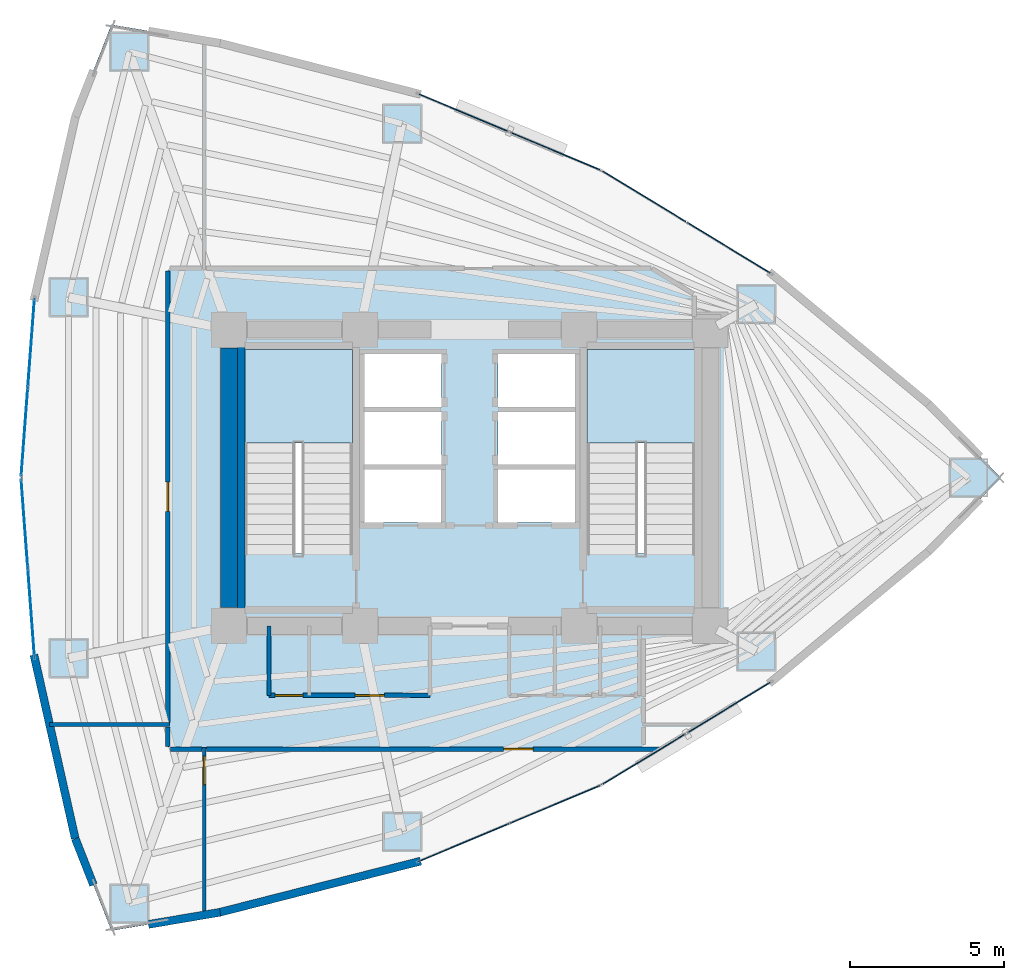
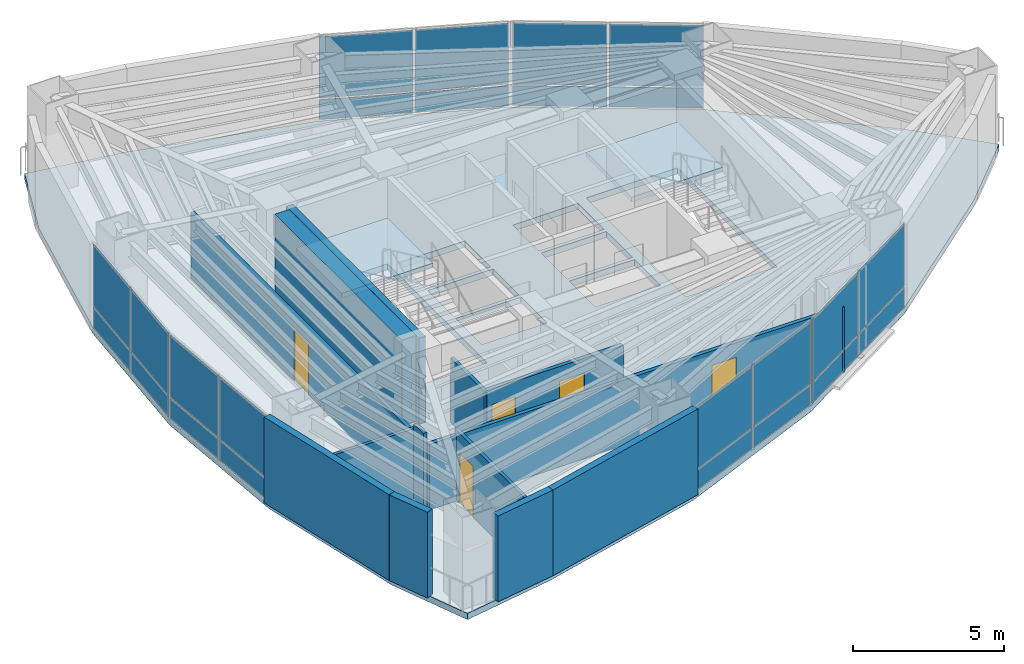
# One storey, part 14 of 18: 24 plates, 14 walls, 5 doors, 3 slabs, 5 openings, 8 elements without a shape of their own.
"""IFC4 building model written with IfcOpenShell, lengths in metres."""

from ifc_helpers import new_model, si_unit, direction, frame, frame_2d, origin, origin_2d, place, context, subcontext, project, spatial, polyline, rectangle, outline, extrude, material, layer, layer_set, type_object, element, fill, aggregate, save


model = new_model("IFC4")

# Units and contexts
model_context = context("Model", 3, precision=1e-05, world=origin(), true_north=direction((0.0, 1.0)))
body_context = subcontext(model_context, "Body", "Model", "MODEL_VIEW")
ifc_project = project(units=[si_unit("LENGTHUNIT", "METRE"), si_unit("AREAUNIT", "SQUARE_METRE"), si_unit("VOLUMEUNIT", "CUBIC_METRE"), si_unit("PLANEANGLEUNIT", "RADIAN"), si_unit("MASSUNIT", "GRAM", prefix="KILO")], contexts=[model_context])

# Site, building, storey
site_placement = place(None, origin())
site = spatial("IfcSite", under=ifc_project, at=site_placement, CompositionType="ELEMENT")
building_placement = place(site_placement, origin())
building = spatial("IfcBuilding", under=site, at=building_placement, Name="Menara Vayukalpa", CompositionType="ELEMENT")
storey_placement = place(building_placement, frame((0.0, 0.0, 96.5400390625)))
storey = spatial("IfcBuildingStorey", under=building, at=storey_placement, Name="L23", CompositionType="ELEMENT", Elevation=96.5400390625)

# Curtain wall, plates
ifc_material_1 = material(Name="Anodised Terracotta Aluminium Alloy 6063-T6", Category="masonry")
ifc_layer_1 = layer(ifc_material_1, 0.14990234375)
ifc_layer_set_1 = layer_set([ifc_layer_1], Name="Anodised Terracotta Aluminium Alloy 6063-T6")
curtain_wall_type = type_object("IfcCurtainWallType", Name="CW-CW3", PredefinedType="USERDEFINED", material=ifc_layer_set_1)
curtain_wall_1_placement = place(storey_placement, origin())
curtain_wall_1 = element("IfcCurtainWall", 1, at=curtain_wall_1_placement, inside=storey, type_object=curtain_wall_type, Name="L23 Mid Rise Terracotta Ribbon Curtain Wall CW3 04", ObjectType="UNITISED", PredefinedType="USERDEFINED")
ifc_material_2 = material(Name="Low-E Double Glazing", Category="glass")
ifc_layer_2 = layer(ifc_material_2, 0.030029296875)
ifc_layer_set_2 = layer_set([ifc_layer_2], Name="Low-E Double Glazing")
plate_type = type_object("IfcPlateType", Name="CWP-CW3", PredefinedType="CURTAIN_PANEL", material=ifc_layer_set_2)
plate_1_placement = place(storey_placement, frame((33.9921875, 29.44873046875, 0.06494140625), z_axis=(0.0, 0.0, 1.0), x_axis=(-0.854663123674, 0.519182959112, 0.0)))
plate_1 = element("IfcPlate", 2, at=plate_1_placement, type_object=plate_type, Name="CW3 panel 1.1", PredefinedType="CURTAIN_PANEL", context=body_context, shape_type="SweptSolid", body=[
    extrude(rectangle(XDim=3.1318359375, YDim=0.030029296875, at=origin_2d()), origin(), (0.0, 0.0, 1.0), 0.802490234375),
])
plate_2_placement = place(storey_placement, frame((33.9921875, 29.44873046875, 0.9326171875), z_axis=(0.0, 0.0, 1.0), x_axis=(-0.854663123674, 0.519182959112, 0.0)))
plate_2 = element("IfcPlate", 3, at=plate_2_placement, type_object=plate_type, Name="CW3 panel 1.2", PredefinedType="CURTAIN_PANEL", context=body_context, shape_type="SweptSolid", body=[
    extrude(rectangle(XDim=3.1318359375, YDim=0.030029296875, at=origin_2d()), origin(), (0.0, 0.0, 1.0), 2.472412109375),
])
plate_3_placement = place(storey_placement, frame((31.259765625, 31.1083984375, 0.06494140625), z_axis=(0.0, 0.0, 1.0), x_axis=(-0.854663123674, 0.519182959112, 0.0)))
plate_3 = element("IfcPlate", 4, at=plate_3_placement, type_object=plate_type, Name="CW3 panel 2.1", PredefinedType="CURTAIN_PANEL", context=body_context, shape_type="SweptSolid", body=[
    extrude(rectangle(XDim=3.1318359375, YDim=0.030029296875, at=origin_2d()), origin(), (0.0, 0.0, 1.0), 0.802490234375),
])
plate_4_placement = place(storey_placement, frame((31.259765625, 31.1083984375, 0.9326171875), z_axis=(0.0, 0.0, 1.0), x_axis=(-0.854663123674, 0.519182959112, 0.0)))
plate_4 = element("IfcPlate", 5, at=plate_4_placement, type_object=plate_type, Name="CW3 panel 2.2", PredefinedType="CURTAIN_PANEL", context=body_context, shape_type="SweptSolid", body=[
    extrude(rectangle(XDim=3.1318359375, YDim=0.030029296875, at=origin_2d()), origin(), (0.0, 0.0, 1.0), 2.472412109375),
])
aggregate(curtain_wall_1, [plate_1, plate_2, plate_3, plate_4])

curtain_wall_2_placement = place(storey_placement, origin())
curtain_wall_2 = element("IfcCurtainWall", 6, at=curtain_wall_2_placement, inside=storey, type_object=curtain_wall_type, Name="L23 Mid Rise Terracotta Ribbon Curtain Wall CW3 05", ObjectType="UNITISED", PredefinedType="USERDEFINED")
plate_5_placement = place(storey_placement, frame((28.361328125, 32.58447265625, 0.06494140625), z_axis=(0.0, 0.0, 1.0), x_axis=(-0.922543300632, 0.38589358437, 0.0)))
plate_5 = element("IfcPlate", 7, at=plate_5_placement, type_object=plate_type, Name="CW3 panel 1.1", PredefinedType="CURTAIN_PANEL", context=body_context, shape_type="SweptSolid", body=[
    extrude(rectangle(XDim=3.1318359375, YDim=0.030029296875, at=origin_2d()), origin(), (0.0, 0.0, 1.0), 0.802490234375),
])
plate_6_placement = place(storey_placement, frame((28.361328125, 32.58447265625, 0.9326171875), z_axis=(0.0, 0.0, 1.0), x_axis=(-0.922543300632, 0.38589358437, 0.0)))
plate_6 = element("IfcPlate", 8, at=plate_6_placement, type_object=plate_type, Name="CW3 panel 1.2", PredefinedType="CURTAIN_PANEL", context=body_context, shape_type="SweptSolid", body=[
    extrude(rectangle(XDim=3.1318359375, YDim=0.030029296875, at=origin_2d()), origin(), (0.0, 0.0, 1.0), 2.472412109375),
])
plate_7_placement = place(storey_placement, frame((25.412109375, 33.818115234375, 0.06494140625), z_axis=(0.0, 0.0, 1.0), x_axis=(-0.922543300632, 0.38589358437, 0.0)))
plate_7 = element("IfcPlate", 9, at=plate_7_placement, type_object=plate_type, Name="CW3 panel 2.1", PredefinedType="CURTAIN_PANEL", context=body_context, shape_type="SweptSolid", body=[
    extrude(rectangle(XDim=3.1318359375, YDim=0.030029296875, at=origin_2d()), origin(), (0.0, 0.0, 1.0), 0.802490234375),
])
plate_8_placement = place(storey_placement, frame((25.412109375, 33.818115234375, 0.9326171875), z_axis=(0.0, 0.0, 1.0), x_axis=(-0.922543300632, 0.38589358437, 0.0)))
plate_8 = element("IfcPlate", 10, at=plate_8_placement, type_object=plate_type, Name="CW3 panel 2.2", PredefinedType="CURTAIN_PANEL", context=body_context, shape_type="SweptSolid", body=[
    extrude(rectangle(XDim=3.1318359375, YDim=0.030029296875, at=origin_2d()), origin(), (0.0, 0.0, 1.0), 2.472412109375),
])
aggregate(curtain_wall_2, [plate_5, plate_6, plate_7, plate_8])

curtain_wall_3_placement = place(storey_placement, origin())
curtain_wall_3 = element("IfcCurtainWall", 11, at=curtain_wall_3_placement, inside=storey, type_object=curtain_wall_type, Name="L23 Mid Rise Terracotta Ribbon Curtain Wall CW3 10", ObjectType="UNITISED", PredefinedType="USERDEFINED")
plate_9_placement = place(storey_placement, frame((11.395751953125, 26.3681640625, 0.06494140625), z_axis=(0.0, 0.0, 1.0), x_axis=(-0.07478528334, -0.997199659745, 0.0)))
plate_9 = element("IfcPlate", 12, at=plate_9_placement, type_object=plate_type, Name="CW3 panel 1.1", PredefinedType="CURTAIN_PANEL", context=body_context, shape_type="SweptSolid", body=[
    extrude(rectangle(XDim=2.83349609375, YDim=0.030029296875, at=origin_2d()), origin(), (0.0, 0.0, 1.0), 0.802490234375),
])
plate_10_placement = place(storey_placement, frame((11.395751953125, 26.3681640625, 0.9326171875), z_axis=(0.0, 0.0, 1.0), x_axis=(-0.07478528334, -0.997199659745, 0.0)))
plate_10 = element("IfcPlate", 13, at=plate_10_placement, type_object=plate_type, Name="CW3 panel 1.2", PredefinedType="CURTAIN_PANEL", context=body_context, shape_type="SweptSolid", body=[
    extrude(rectangle(XDim=2.83349609375, YDim=0.030029296875, at=origin_2d()), origin(), (0.0, 0.0, 1.0), 2.472412109375),
])
plate_11_placement = place(storey_placement, frame((11.178955078125, 23.4775390625, 0.06494140625), z_axis=(0.0, 0.0, 1.0), x_axis=(-0.07478528334, -0.997199659745, 0.0)))
plate_11 = element("IfcPlate", 14, at=plate_11_placement, type_object=plate_type, Name="CW3 panel 2.1", PredefinedType="CURTAIN_PANEL", context=body_context, shape_type="SweptSolid", body=[
    extrude(rectangle(XDim=2.83349609375, YDim=0.030029296875, at=origin_2d()), origin(), (0.0, 0.0, 1.0), 0.802490234375),
])
plate_12_placement = place(storey_placement, frame((11.178955078125, 23.4775390625, 0.9326171875), z_axis=(0.0, 0.0, 1.0), x_axis=(-0.07478528334, -0.997199659745, 0.0)))
plate_12 = element("IfcPlate", 15, at=plate_12_placement, type_object=plate_type, Name="CW3 panel 2.2", PredefinedType="CURTAIN_PANEL", context=body_context, shape_type="SweptSolid", body=[
    extrude(rectangle(XDim=2.83349609375, YDim=0.030029296875, at=origin_2d()), origin(), (0.0, 0.0, 1.0), 2.472412109375),
])
aggregate(curtain_wall_3, [plate_9, plate_10, plate_11, plate_12])

curtain_wall_4_placement = place(storey_placement, origin())
curtain_wall_4 = element("IfcCurtainWall", 16, at=curtain_wall_4_placement, inside=storey, type_object=curtain_wall_type, Name="L23 Mid Rise Terracotta Ribbon Curtain Wall CW3 11", ObjectType="UNITISED", PredefinedType="USERDEFINED")
plate_13_placement = place(storey_placement, frame((11.178955078125, 20.5224609375, 0.06494140625), z_axis=(0.0, 0.0, 1.0), x_axis=(0.07478528334, -0.997199659745, 0.0)))
plate_13 = element("IfcPlate", 17, at=plate_13_placement, type_object=plate_type, Name="CW3 panel 1.1", PredefinedType="CURTAIN_PANEL", context=body_context, shape_type="SweptSolid", body=[
    extrude(rectangle(XDim=2.83349609375, YDim=0.030029296875, at=origin_2d()), origin(), (0.0, 0.0, 1.0), 0.802490234375),
])
plate_14_placement = place(storey_placement, frame((11.178955078125, 20.5224609375, 0.9326171875), z_axis=(0.0, 0.0, 1.0), x_axis=(0.07478528334, -0.997199659745, 0.0)))
plate_14 = element("IfcPlate", 18, at=plate_14_placement, type_object=plate_type, Name="CW3 panel 1.2", PredefinedType="CURTAIN_PANEL", context=body_context, shape_type="SweptSolid", body=[
    extrude(rectangle(XDim=2.83349609375, YDim=0.030029296875, at=origin_2d()), origin(), (0.0, 0.0, 1.0), 2.472412109375),
])
plate_15_placement = place(storey_placement, frame((11.395751953125, 17.6318359375, 0.06494140625), z_axis=(0.0, 0.0, 1.0), x_axis=(0.07478528334, -0.997199659745, 0.0)))
plate_15 = element("IfcPlate", 19, at=plate_15_placement, type_object=plate_type, Name="CW3 panel 2.1", PredefinedType="CURTAIN_PANEL", context=body_context, shape_type="SweptSolid", body=[
    extrude(rectangle(XDim=2.83349609375, YDim=0.030029296875, at=origin_2d()), origin(), (0.0, 0.0, 1.0), 0.802490234375),
])
plate_16_placement = place(storey_placement, frame((11.395751953125, 17.6318359375, 0.9326171875), z_axis=(0.0, 0.0, 1.0), x_axis=(0.07478528334, -0.997199659745, 0.0)))
plate_16 = element("IfcPlate", 20, at=plate_16_placement, type_object=plate_type, Name="CW3 panel 2.2", PredefinedType="CURTAIN_PANEL", context=body_context, shape_type="SweptSolid", body=[
    extrude(rectangle(XDim=2.83349609375, YDim=0.030029296875, at=origin_2d()), origin(), (0.0, 0.0, 1.0), 2.472412109375),
])
aggregate(curtain_wall_4, [plate_13, plate_14, plate_15, plate_16])

curtain_wall_5_placement = place(storey_placement, origin())
curtain_wall_5 = element("IfcCurtainWall", 21, at=curtain_wall_5_placement, inside=storey, type_object=curtain_wall_type, Name="L23 Mid Rise Terracotta Ribbon Curtain Wall CW3 16", ObjectType="UNITISED", PredefinedType="USERDEFINED")
plate_17_placement = place(storey_placement, frame((25.412109375, 10.181884765625, 0.06494140625), z_axis=(0.0, 0.0, 1.0), x_axis=(0.922543300632, 0.38589358437, 0.0)))
plate_17 = element("IfcPlate", 22, at=plate_17_placement, type_object=plate_type, Name="CW3 panel 1.1", PredefinedType="CURTAIN_PANEL", context=body_context, shape_type="SweptSolid", body=[
    extrude(rectangle(XDim=3.1318359375, YDim=0.030029296875, at=origin_2d()), origin(), (0.0, 0.0, 1.0), 0.802490234375),
])
plate_18_placement = place(storey_placement, frame((25.412109375, 10.181884765625, 0.9326171875), z_axis=(0.0, 0.0, 1.0), x_axis=(0.922543300632, 0.38589358437, 0.0)))
plate_18 = element("IfcPlate", 23, at=plate_18_placement, type_object=plate_type, Name="CW3 panel 1.2", PredefinedType="CURTAIN_PANEL", context=body_context, shape_type="SweptSolid", body=[
    extrude(rectangle(XDim=3.1318359375, YDim=0.030029296875, at=origin_2d()), origin(), (0.0, 0.0, 1.0), 2.472412109375),
])
plate_19_placement = place(storey_placement, frame((28.361328125, 11.41552734375, 0.06494140625), z_axis=(0.0, 0.0, 1.0), x_axis=(0.922543300632, 0.38589358437, 0.0)))
plate_19 = element("IfcPlate", 24, at=plate_19_placement, type_object=plate_type, Name="CW3 panel 2.1", PredefinedType="CURTAIN_PANEL", context=body_context, shape_type="SweptSolid", body=[
    extrude(rectangle(XDim=3.1318359375, YDim=0.030029296875, at=origin_2d()), origin(), (0.0, 0.0, 1.0), 0.802490234375),
])
plate_20_placement = place(storey_placement, frame((28.361328125, 11.41552734375, 0.9326171875), z_axis=(0.0, 0.0, 1.0), x_axis=(0.922543300632, 0.38589358437, 0.0)))
plate_20 = element("IfcPlate", 25, at=plate_20_placement, type_object=plate_type, Name="CW3 panel 2.2", PredefinedType="CURTAIN_PANEL", context=body_context, shape_type="SweptSolid", body=[
    extrude(rectangle(XDim=3.1318359375, YDim=0.030029296875, at=origin_2d()), origin(), (0.0, 0.0, 1.0), 2.472412109375),
])
aggregate(curtain_wall_5, [plate_17, plate_18, plate_19, plate_20])

curtain_wall_6_placement = place(storey_placement, origin())
curtain_wall_6 = element("IfcCurtainWall", 26, at=curtain_wall_6_placement, inside=storey, type_object=curtain_wall_type, Name="L23 Mid Rise Terracotta Ribbon Curtain Wall CW3 17", ObjectType="UNITISED", PredefinedType="USERDEFINED")
plate_21_placement = place(storey_placement, frame((31.259765625, 12.8916015625, 0.06494140625), z_axis=(0.0, 0.0, 1.0), x_axis=(0.854663123674, 0.519182959112, 0.0)))
plate_21 = element("IfcPlate", 27, at=plate_21_placement, type_object=plate_type, Name="CW3 panel 1.1", PredefinedType="CURTAIN_PANEL", context=body_context, shape_type="SweptSolid", body=[
    extrude(rectangle(XDim=3.1318359375, YDim=0.030029296875, at=origin_2d()), origin(), (0.0, 0.0, 1.0), 0.802490234375),
])
plate_22_placement = place(storey_placement, frame((31.259765625, 12.8916015625, 0.9326171875), z_axis=(0.0, 0.0, 1.0), x_axis=(0.854663123674, 0.519182959112, 0.0)))
plate_22 = element("IfcPlate", 28, at=plate_22_placement, type_object=plate_type, Name="CW3 panel 1.2", PredefinedType="CURTAIN_PANEL", context=body_context, shape_type="SweptSolid", body=[
    extrude(rectangle(XDim=3.1318359375, YDim=0.030029296875, at=origin_2d()), origin(), (0.0, 0.0, 1.0), 2.472412109375),
])
plate_23_placement = place(storey_placement, frame((33.9921875, 14.55126953125, 0.06494140625), z_axis=(0.0, 0.0, 1.0), x_axis=(0.854663123674, 0.519182959112, 0.0)))
plate_23 = element("IfcPlate", 29, at=plate_23_placement, type_object=plate_type, Name="CW3 panel 2.1", PredefinedType="CURTAIN_PANEL", context=body_context, shape_type="SweptSolid", body=[
    extrude(rectangle(XDim=3.1318359375, YDim=0.030029296875, at=origin_2d()), origin(), (0.0, 0.0, 1.0), 0.802490234375),
])
plate_24_placement = place(storey_placement, frame((33.9921875, 14.55126953125, 0.9326171875), z_axis=(0.0, 0.0, 1.0), x_axis=(0.854663123674, 0.519182959112, 0.0)))
plate_24 = element("IfcPlate", 30, at=plate_24_placement, type_object=plate_type, Name="CW3 panel 2.2", PredefinedType="CURTAIN_PANEL", context=body_context, shape_type="SweptSolid", body=[
    extrude(rectangle(XDim=3.1318359375, YDim=0.030029296875, at=origin_2d()), origin(), (0.0, 0.0, 1.0), 2.472412109375),
])
aggregate(curtain_wall_6, [plate_21, plate_22, plate_23, plate_24])

# Slab
ifc_material_3 = material(Name="Concrete C40/50", Category="concrete")
ifc_layer_3 = layer(ifc_material_3, 0.25)
ifc_layer_set_3 = layer_set([ifc_layer_3], Name="Concrete C40/50")
slab_type_1 = type_object("IfcSlabType", Name="SLB-FL250", PredefinedType="FLOOR", material=ifc_layer_set_3)
slab_1_placement = place(storey_placement, frame((0.0, 0.0, -0.25)))
element("IfcSlab", 31, at=slab_1_placement, inside=storey, type_object=slab_type_1, Name="L23 Structural Floor Slab", PredefinedType="FLOOR", context=body_context, shape_type="SweptSolid", body=[
    extrude(outline(polyline([(40.4677734375, 19.6123046875), (42.81201171875, 22.0), (40.4677734375, 24.3876953125), (35.385986328125, 28.601806640625), (29.865966796875, 31.955078125), (23.907470703125, 34.447509765625), (17.510498046875, 36.0791015625), (13.993896484375, 36.676025390625), (12.822021484375, 33.69140625), (11.506591796875, 27.845703125), (11.068115234375, 22.0), (11.506591796875, 16.154296875), (12.822021484375, 10.30859375), (13.993896484375, 7.323974609375), (17.510498046875, 7.9208984375), (23.907470703125, 9.552490234375), (29.865966796875, 12.044921875), (35.385986328125, 15.398193359375), (40.4677734375, 19.6123046875)]), holes=[polyline([(21.800048828125, 19.550048828125), (21.800048828125, 26.14990234375), (18.300048828125, 26.14990234375), (18.300048828125, 19.550048828125), (21.800048828125, 19.550048828125)]), polyline([(32.89990234375, 19.550048828125), (32.89990234375, 26.14990234375), (29.39990234375, 26.14990234375), (29.39990234375, 19.550048828125), (32.89990234375, 19.550048828125)]), polyline([(22.179931640625, 20.550048828125), (24.679931640625, 20.550048828125), (24.679931640625, 22.27001953125), (22.179931640625, 22.27001953125), (22.179931640625, 20.550048828125)]), polyline([(26.52001953125, 20.550048828125), (29.02001953125, 20.550048828125), (29.02001953125, 22.27001953125), (26.52001953125, 22.27001953125), (26.52001953125, 20.550048828125)]), polyline([(22.179931640625, 22.419921875), (24.679931640625, 22.419921875), (24.679931640625, 24.139892578125), (22.179931640625, 24.139892578125), (22.179931640625, 22.419921875)]), polyline([(22.179931640625, 24.2900390625), (24.679931640625, 24.2900390625), (24.679931640625, 26.010009765625), (22.179931640625, 26.010009765625), (22.179931640625, 24.2900390625)]), polyline([(26.52001953125, 24.2900390625), (29.02001953125, 24.2900390625), (29.02001953125, 26.010009765625), (26.52001953125, 26.010009765625), (26.52001953125, 24.2900390625)]), polyline([(26.52001953125, 22.419921875), (29.02001953125, 22.419921875), (29.02001953125, 24.139892578125), (26.52001953125, 24.139892578125), (26.52001953125, 22.419921875)])]), origin(), (0.0, 0.0, 1.0), 0.25),
])

# Stair, slab
ifc_material_4 = material(Name="Precast Concrete C40/50", Category="concrete")
stair_type = type_object("IfcStairType", Name="STR-T04", PredefinedType="DOUBLE_RETURN_STAIR", material=ifc_material_4)
stair_1_placement = place(storey_placement, origin())
stair_1 = element("IfcStair", 32, at=stair_1_placement, inside=storey, type_object=stair_type, Name="L23 Core Exit Stair ST-1", PredefinedType="DOUBLE_RETURN_STAIR")
ifc_material_5 = material(Name="Precast Concrete C40/50", Category="concrete")
ifc_layer_4 = layer(ifc_material_5, 0.199951171875)
ifc_layer_set_4 = layer_set([ifc_layer_4], Name="Precast Concrete C40/50")
slab_type_2 = type_object("IfcSlabType", Name="SLB-LND200", PredefinedType="LANDING", material=ifc_layer_set_4)
slab_2_placement = place(storey_placement, frame((0.0, 0.0, 1.659912109375)))
slab_2 = element("IfcSlab", 33, at=slab_2_placement, type_object=slab_type_2, Name="ST-1 landing 1", PredefinedType="LANDING", context=body_context, shape_type="SweptSolid", body=[
    extrude(outline(polyline([(21.800048828125, 23.1298828125), (21.800048828125, 26.14990234375), (18.300048828125, 26.14990234375), (18.300048828125, 23.1298828125), (21.800048828125, 23.1298828125)])), origin(), (0.0, 0.0, 1.0), 0.199951171875),
])
aggregate(stair_1, [slab_2])

stair_2_placement = place(storey_placement, origin())
stair_2 = element("IfcStair", 34, at=stair_2_placement, inside=storey, type_object=stair_type, Name="L23 Core Exit Stair ST-2", PredefinedType="DOUBLE_RETURN_STAIR")
slab_3_placement = place(storey_placement, frame((0.0, 0.0, 1.659912109375)))
slab_3 = element("IfcSlab", 35, at=slab_3_placement, type_object=slab_type_2, Name="ST-2 landing 1", PredefinedType="LANDING", context=body_context, shape_type="SweptSolid", body=[
    extrude(outline(polyline([(32.89990234375, 23.1298828125), (32.89990234375, 26.14990234375), (29.39990234375, 26.14990234375), (29.39990234375, 23.1298828125), (32.89990234375, 23.1298828125)])), origin(), (0.0, 0.0, 1.0), 0.199951171875),
])
aggregate(stair_2, [slab_3])

# Walls
ifc_material_6 = material(Name="Concrete C60/75", Category="concrete")
ifc_layer_5 = layer(ifc_material_6, 0.550048828125)
ifc_layer_set_5 = layer_set([ifc_layer_5], Name="Concrete C60/75")
wall_type_1 = type_object("IfcWallType", Name="WAL-CW550", PredefinedType="SHEAR", material=ifc_layer_set_5)
wall_1_placement = place(storey_placement, frame((17.800048828125, 17.794921875, 0.0), z_axis=(0.0, 0.0, 1.0), x_axis=(0.0, 1.0, 0.0)))
element("IfcWall", 36, at=wall_1_placement, inside=storey, type_object=wall_type_1, Name="L23 Buttressed Core Shear Wall CWW1", PredefinedType="SHEAR", context=body_context, shape_type="SweptSolid", body=[
    extrude(rectangle(XDim=8.41015625, YDim=0.550048828125, at=frame_2d((4.205078125, 0.0))), origin(), (0.0, 0.0, 1.0), 3.469970703125),
])
ifc_material_7 = material(Name="Insulated Precast Concrete C40/50", Category="concrete")
ifc_layer_6 = layer(ifc_material_7, 0.260009765625)
ifc_layer_set_6 = layer_set([ifc_layer_6], Name="Insulated Precast Concrete C40/50")
wall_type_2 = type_object("IfcWallType", Name="WAL-EXT260", PredefinedType="PARTITIONING", material=ifc_layer_set_6)
wall_2_placement = place(storey_placement, frame((12.822021484375, 10.30859375, 0.0), z_axis=(0.0, 0.0, 1.0), x_axis=(-0.219535044336, 0.975604614743, 0.0)))
element("IfcWall", 37, at=wall_2_placement, inside=storey, type_object=wall_type_2, Name="L23 Perimeter Terracotta Pier Wall 12", PredefinedType="PARTITIONING", context=body_context, shape_type="SweptSolid", body=[
    extrude(rectangle(XDim=6.10205078125, YDim=0.260009765625, at=frame_2d((3.051025390625, 0.0))), origin(), (0.0, 0.0, 1.0), 3.469970703125),
])
wall_3_placement = place(storey_placement, frame((13.411865234375, 8.806396484375, 0.0), z_axis=(0.0, 0.0, 1.0), x_axis=(-0.365488551504, 0.930815835018, 0.0)))
element("IfcWall", 38, at=wall_3_placement, inside=storey, type_object=wall_type_2, Name="L23 Perimeter Terracotta Pier Wall 13", PredefinedType="PARTITIONING", context=body_context, shape_type="SweptSolid", body=[
    extrude(rectangle(XDim=1.61376953125, YDim=0.260009765625, at=frame_2d((0.806884765625, 0.0))), origin(), (0.0, 0.0, 1.0), 3.469970703125),
])
wall_4_placement = place(storey_placement, frame((17.516357421875, 7.921875, 0.0), z_axis=(0.0, 0.0, 1.0), x_axis=(-0.985905269947, -0.167304508875, 0.0)))
element("IfcWall", 39, at=wall_4_placement, inside=storey, type_object=wall_type_2, Name="L23 Perimeter Terracotta Pier Wall 14", PredefinedType="PARTITIONING", context=body_context, shape_type="SweptSolid", body=[
    extrude(rectangle(XDim=2.356689453125, YDim=0.260009765625, at=frame_2d((1.17822265625, 0.0))), origin(), (0.0, 0.0, 1.0), 3.469970703125),
])
wall_5_placement = place(storey_placement, frame((24.013916015625, 9.57958984375, 0.0), z_axis=(0.0, 0.0, 1.0), x_axis=(-0.968981437296, -0.247133514876, 0.0)))
element("IfcWall", 40, at=wall_5_placement, inside=storey, type_object=wall_type_2, Name="L23 Perimeter Terracotta Pier Wall 15", PredefinedType="PARTITIONING", context=body_context, shape_type="SweptSolid", body=[
    extrude(rectangle(XDim=6.717529296875, YDim=0.260009765625, at=frame_2d((3.35888671875, 0.0))), origin(), (0.0, 0.0, 1.0), 3.469970703125),
])
ifc_material_8 = material(Name="Gypsum Drywall Steel Stud Assembly", Category="steel")
ifc_layer_7 = layer(ifc_material_8, 0.125)
ifc_layer_set_7 = layer_set([ifc_layer_7], Name="Gypsum Drywall Steel Stud Assembly")
wall_type_3 = type_object("IfcWallType", Name="WAL-PT125", PredefinedType="PARTITIONING", material=ifc_layer_set_7)
wall_6_placement = place(storey_placement, frame((19.10009765625, 14.949951171875, 0.0), z_axis=(0.0, 0.0, 1.0), x_axis=(0.0, 1.0, 0.0)))
element("IfcWall", 41, at=wall_6_placement, inside=storey, type_object=wall_type_3, Name="L23 Interior Partition IW-L23-SVCD-01", PredefinedType="PARTITIONING", context=body_context, shape_type="SweptSolid", body=[
    extrude(rectangle(XDim=2.25, YDim=0.125, at=frame_2d((1.125, 0.0))), origin(), (0.0, 0.0, 1.0), 2.599853515625),
])

# Wall, opening, door
wall_7_placement = place(storey_placement, frame((17.0, 7.82421875, 0.0), z_axis=(0.0, 0.0, 1.0), x_axis=(0.0, 1.0, 0.0)))
wall_7 = element("IfcWall", 42, at=wall_7_placement, inside=storey, type_object=wall_type_3, Name="L23 Interior Partition IW-L23-RDIV01", PredefinedType="PARTITIONING", context=body_context, shape_type="SweptSolid", body=[
    extrude(rectangle(XDim=5.435791015625, YDim=0.125, at=frame_2d((2.7177734375, 0.0))), origin(), (0.0, 0.0, 1.0), 2.849853515625),
])
opening_1_placement = place(wall_7_placement, frame((4.23583984375, 0.0, 0.0)))
opening_1 = element("IfcOpeningElement", 43, at=opening_1_placement, cuts=wall_7, Name="Opening ID6", PredefinedType="OPENING", context=body_context, shape_type="SweptSolid", body=[
    extrude(rectangle(XDim=0.919921875, YDim=2.050048828125, at=frame_2d((0.4599609375, 1.02490234375))), frame((0.0, 0.072509765625, 0.0), z_axis=(0.0, -1.0, 0.0), x_axis=(1.0, 0.0, 0.0)), (0.0, 0.0, 1.0), 0.14501953125),
])
ifc_material_9 = material(Name="Acoustic Hardwood Veneer Timber Door", Category="wood")
door_type_1 = type_object("IfcDoorType", Name="DR-INT92", OperationType="NOTDEFINED", PredefinedType="DOOR", material=ifc_material_9)
door_1_placement = place(opening_1_placement, origin())
door_1 = element("IfcDoor", 44, at=door_1_placement, inside=storey, type_object=door_type_1, Name="L23 Interior Door DR-L23-STE02", OperationType="SINGLE_SWING_LEFT", OverallHeight=2.050048828125, OverallWidth=0.919921875, PredefinedType="DOOR", context=body_context, shape_type="SweptSolid", body=[
    extrude(rectangle(XDim=0.919921875, YDim=2.050048828125, at=frame_2d((0.4599609375, 1.02490234375))), frame((0.0, 0.02490234375, 0.0), z_axis=(0.0, -1.0, 0.0), x_axis=(1.0, 0.0, 0.0)), (0.0, 0.0, 1.0), 0.050048828125),
])
fill(opening_1, door_1)

# Wall
wall_8_placement = place(storey_placement, frame((11.981201171875, 14.0, 0.0), z_axis=(0.0, 0.0, 1.0), x_axis=(1.0, 0.0, 0.0)))
element("IfcWall", 45, at=wall_8_placement, inside=storey, type_object=wall_type_3, Name="L23 Interior Partition IW-L23-RDIV03", PredefinedType="PARTITIONING", context=body_context, shape_type="SweptSolid", body=[
    extrude(rectangle(XDim=3.888916015625, YDim=0.125, at=frame_2d((1.9443359375, 0.0))), origin(), (0.0, 0.0, 1.0), 2.849853515625),
])

# Wall, openings, doors
ifc_material_10 = material(Name="Gypsum Drywall Acoustic Stud Assembly", Category="masonry")
ifc_layer_8 = layer(ifc_material_10, 0.14501953125)
ifc_layer_set_8 = layer_set([ifc_layer_8], Name="Gypsum Drywall Acoustic Stud Assembly")
wall_type_4 = type_object("IfcWallType", Name="WAL-PT150", PredefinedType="PARTITIONING", material=ifc_layer_set_8)
wall_9_placement = place(storey_placement, frame((19.10009765625, 14.949951171875, 0.0), z_axis=(0.0, 0.0, 1.0), x_axis=(1.0, 0.0, 0.0)))
wall_9 = element("IfcWall", 46, at=wall_9_placement, inside=storey, type_object=wall_type_4, Name="L23 Interior Partition IW-L23-SVCS-W", PredefinedType="PARTITIONING", context=body_context, shape_type="SweptSolid", body=[
    extrude(rectangle(XDim=5.219970703125, YDim=0.14501953125, at=frame_2d((2.60986328125, 0.0))), origin(), (0.0, 0.0, 1.0), 2.64990234375),
])
opening_2_placement = place(wall_9_placement, frame((0.199951171875, 0.0, 0.0)))
opening_2 = element("IfcOpeningElement", 47, at=opening_2_placement, cuts=wall_9, Name="Opening ID7", PredefinedType="OPENING", context=body_context, shape_type="SweptSolid", body=[
    extrude(rectangle(XDim=0.89990234375, YDim=2.02001953125, at=frame_2d((0.449951171875, 1.010009765625))), frame((0.0, 0.08251953125, 0.0), z_axis=(0.0, -1.0, 0.0), x_axis=(1.0, 0.0, 0.0)), (0.0, 0.0, 1.0), 0.1650390625),
])
opening_3_placement = place(wall_9_placement, frame((2.784912109375, 0.0, 0.0)))
opening_3 = element("IfcOpeningElement", 48, at=opening_3_placement, cuts=wall_9, Name="Opening ID5", PredefinedType="OPENING", context=body_context, shape_type="SweptSolid", body=[
    extrude(rectangle(XDim=0.949951171875, YDim=2.06005859375, at=frame_2d((0.47509765625, 1.030029296875))), frame((0.0, 0.08251953125, 0.0), z_axis=(0.0, -1.0, 0.0), x_axis=(1.0, 0.0, 0.0)), (0.0, 0.0, 1.0), 0.1650390625),
])
ifc_material_11 = material(Name="Acoustic Hardwood Veneer Timber Door", Category="wood")
door_type_2 = type_object("IfcDoorType", Name="DR-INT95", OperationType="NOTDEFINED", PredefinedType="DOOR", material=ifc_material_11)
door_2_placement = place(opening_3_placement, origin())
door_2 = element("IfcDoor", 49, at=door_2_placement, inside=storey, type_object=door_type_2, Name="L23 Interior Door DR-L23-AWC", OperationType="SINGLE_SWING_RIGHT", OverallHeight=2.06005859375, OverallWidth=0.949951171875, PredefinedType="DOOR", context=body_context, shape_type="SweptSolid", body=[
    extrude(rectangle(XDim=0.949951171875, YDim=2.06005859375, at=frame_2d((0.47509765625, 1.030029296875))), frame((0.0, 0.02490234375, 0.0), z_axis=(0.0, -1.0, 0.0), x_axis=(1.0, 0.0, 0.0)), (0.0, 0.0, 1.0), 0.050048828125),
])
fill(opening_3, door_2)
ifc_material_12 = material(Name="Powder-Coated Steel Riser Access Door", Category="steel")
door_type_3 = type_object("IfcDoorType", Name="DR-RISER", OperationType="NOTDEFINED", PredefinedType="DOOR", material=ifc_material_12)
door_3_placement = place(opening_2_placement, origin())
door_3 = element("IfcDoor", 50, at=door_3_placement, inside=storey, type_object=door_type_3, Name="L23 Interior Door DR-L23-ELR", OperationType="SINGLE_SWING_LEFT", OverallHeight=2.02001953125, OverallWidth=0.89990234375, PredefinedType="DOOR", context=body_context, shape_type="SweptSolid", body=[
    extrude(rectangle(XDim=0.89990234375, YDim=2.02001953125, at=frame_2d((0.449951171875, 1.010009765625))), frame((0.0, 0.02490234375, 0.0), z_axis=(0.0, -1.0, 0.0), x_axis=(1.0, 0.0, 0.0)), (0.0, 0.0, 1.0), 0.050048828125),
])
fill(opening_2, door_3)

# Walls
wall_10_placement = place(storey_placement, frame((15.820068359375, 13.929931640625, 0.0), z_axis=(0.0, 0.0, 1.0), x_axis=(0.0, -1.0, 0.0)))
element("IfcWall", 51, at=wall_10_placement, inside=storey, type_object=wall_type_4, Name="L23 Interior Partition IW-L23-CRM02-1", PredefinedType="PARTITIONING", context=body_context, shape_type="SweptSolid", body=[
    extrude(rectangle(XDim=0.639892578125, YDim=0.14501953125, at=frame_2d((0.31982421875, 0.0))), origin(), (0.0, 0.0, 1.0), 3.050048828125),
])
wall_11_placement = place(storey_placement, frame((15.89990234375, 13.2099609375, 0.0), z_axis=(0.0, 0.0, 1.0), x_axis=(1.0, 0.0, 0.0)))
element("IfcWall", 52, at=wall_11_placement, inside=storey, type_object=wall_type_4, Name="L23 Interior Partition IW-L23-CRM02-2", PredefinedType="PARTITIONING", context=body_context, shape_type="SweptSolid", body=[
    extrude(rectangle(XDim=1.030029296875, YDim=0.14501953125, at=frame_2d((0.51513671875, 0.0))), origin(), (0.0, 0.0, 1.0), 2.64990234375),
])

# Wall, opening, door
wall_12_placement = place(storey_placement, frame((17.070068359375, 13.2099609375, 0.0), z_axis=(0.0, 0.0, 1.0), x_axis=(1.0, 0.0, 0.0)))
wall_12 = element("IfcWall", 53, at=wall_12_placement, inside=storey, type_object=wall_type_4, Name="L23 Interior Partition IW-L23-CRM03-1", PredefinedType="PARTITIONING", context=body_context, shape_type="SweptSolid", body=[
    extrude(rectangle(XDim=14.7138671875, YDim=0.14501953125, at=frame_2d((7.35693359375, 0.0))), origin(), (0.0, 0.0, 1.0), 2.64990234375),
])
opening_4_placement = place(wall_12_placement, frame((9.631591796875, 0.0, 0.0)))
opening_4 = element("IfcOpeningElement", 54, at=opening_4_placement, cuts=wall_12, Name="Opening ID5", PredefinedType="OPENING", context=body_context, shape_type="SweptSolid", body=[
    extrude(rectangle(XDim=0.949951171875, YDim=2.06005859375, at=frame_2d((0.47509765625, 1.030029296875))), frame((0.0, 0.08251953125, 0.0), z_axis=(0.0, -1.0, 0.0), x_axis=(1.0, 0.0, 0.0)), (0.0, 0.0, 1.0), 0.1650390625),
])
door_4_placement = place(opening_4_placement, origin())
door_4 = element("IfcDoor", 55, at=door_4_placement, inside=storey, type_object=door_type_2, Name="L23 Interior Door DR-L23-RM03", OperationType="SINGLE_SWING_RIGHT", OverallHeight=2.06005859375, OverallWidth=0.949951171875, PredefinedType="DOOR", context=body_context, shape_type="SweptSolid", body=[
    extrude(rectangle(XDim=0.949951171875, YDim=2.06005859375, at=frame_2d((0.47509765625, 1.030029296875))), frame((0.0, 0.02490234375, 0.0), z_axis=(0.0, -1.0, 0.0), x_axis=(1.0, 0.0, 0.0)), (0.0, 0.0, 1.0), 0.050048828125),
])
fill(opening_4, door_4)

wall_13_placement = place(storey_placement, frame((15.820068359375, 28.699951171875, 0.0), z_axis=(0.0, 0.0, 1.0), x_axis=(0.0, -1.0, 0.0)))
wall_13 = element("IfcWall", 56, at=wall_13_placement, inside=storey, type_object=wall_type_4, Name="L23 Interior Partition IW-L23-CRM05-2", PredefinedType="PARTITIONING", context=body_context, shape_type="SweptSolid", body=[
    extrude(rectangle(XDim=14.6298828125, YDim=0.14501953125, at=frame_2d((7.31494140625, 0.0))), origin(), (0.0, 0.0, 1.0), 2.64990234375),
])
opening_5_placement = place(wall_13_placement, frame((6.840087890625, 0.0, 0.0)))
opening_5 = element("IfcOpeningElement", 57, at=opening_5_placement, cuts=wall_13, Name="Opening ID5", PredefinedType="OPENING", context=body_context, shape_type="SweptSolid", body=[
    extrude(rectangle(XDim=0.949951171875, YDim=2.06005859375, at=frame_2d((0.47509765625, 1.030029296875))), frame((0.0, 0.08251953125, 0.0), z_axis=(0.0, -1.0, 0.0), x_axis=(1.0, 0.0, 0.0)), (0.0, 0.0, 1.0), 0.1650390625),
])
door_5_placement = place(opening_5_placement, origin())
door_5 = element("IfcDoor", 58, at=door_5_placement, inside=storey, type_object=door_type_2, Name="L23 Interior Door DR-L23-RM05", OperationType="SINGLE_SWING_RIGHT", OverallHeight=2.06005859375, OverallWidth=0.949951171875, PredefinedType="DOOR", context=body_context, shape_type="SweptSolid", body=[
    extrude(rectangle(XDim=0.949951171875, YDim=2.06005859375, at=frame_2d((0.47509765625, 1.030029296875))), frame((0.0, 0.02490234375, 0.0), z_axis=(0.0, -1.0, 0.0), x_axis=(1.0, 0.0, 0.0)), (0.0, 0.0, 1.0), 0.050048828125),
])
fill(opening_5, door_5)

# Wall
ifc_material_13 = material(Name="Concrete C50/60", Category="concrete")
ifc_layer_9 = layer(ifc_material_13, 0.25)
ifc_layer_set_9 = layer_set([ifc_layer_9], Name="Concrete C50/60")
wall_type_5 = type_object("IfcWallType", Name="WAL-SW250", PredefinedType="SHEAR", material=ifc_layer_set_9)
wall_14_placement = place(storey_placement, frame((18.2041015625, 17.60009765625, 0.0), z_axis=(0.0, 0.0, 1.0), x_axis=(0.0, 1.0, 0.0)))
element("IfcWall", 59, at=wall_14_placement, inside=storey, type_object=wall_type_5, Name="L23 ST1 Structural Stair Shaft Wall W", PredefinedType="SHEAR", context=body_context, shape_type="SweptSolid", body=[
    extrude(rectangle(XDim=8.7998046875, YDim=0.25, at=frame_2d((4.39990234375, 0.0))), origin(), (0.0, 0.0, 1.0), 3.469970703125),
])

save(model, "model.ifc")
